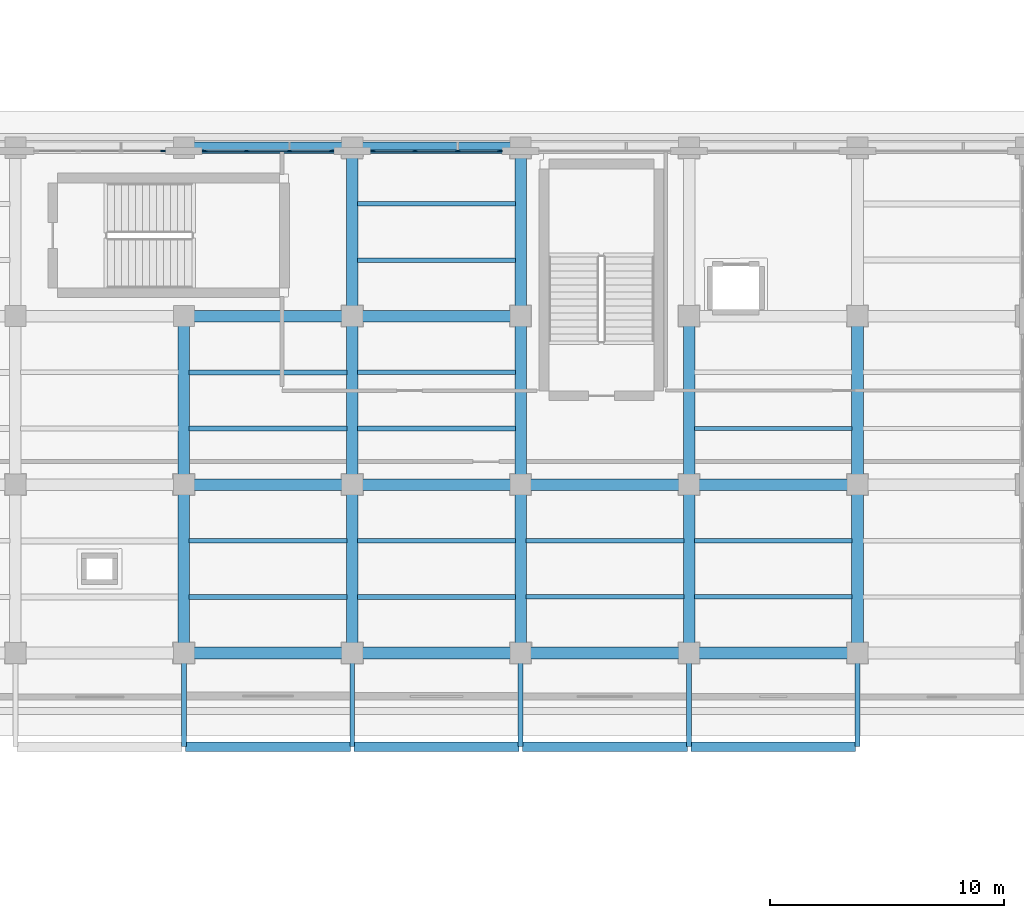
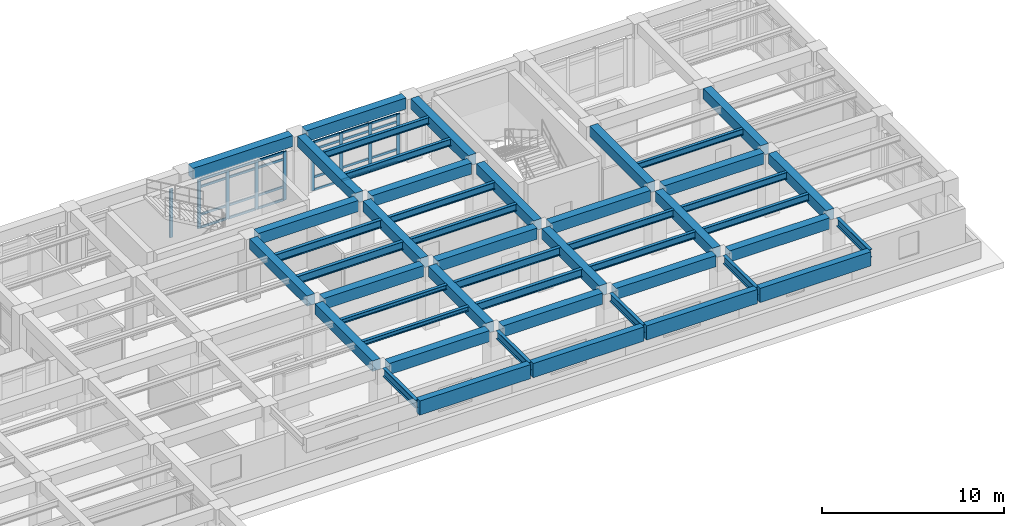
# One storey, part 28 of 69: 48 beams, 33 members, 3 elements without a shape of their own.
"""IFC4 building model written with IfcOpenShell, lengths in metres."""

from ifc_helpers import new_model, si_unit, direction, frame, origin, origin_2d, place, context, subcontext, project, spatial, rectangle, i_section, extrude, material, layer, layer_set, material_profile, profile_set, type_object, element, aggregate, save


model = new_model("IFC4")

# Units and contexts
model_context = context("Model", 3, precision=1e-05, world=origin(), true_north=direction((0.0, 1.0)))
body_context = subcontext(model_context, "Body", "Model", "MODEL_VIEW")
ifc_project = project(units=[si_unit("LENGTHUNIT", "METRE"), si_unit("AREAUNIT", "SQUARE_METRE"), si_unit("VOLUMEUNIT", "CUBIC_METRE"), si_unit("PLANEANGLEUNIT", "RADIAN"), si_unit("MASSUNIT", "GRAM", prefix="KILO")], contexts=[model_context])

# Site, building, storey
site_placement = place(None, origin())
site = spatial("IfcSite", under=ifc_project, at=site_placement, CompositionType="ELEMENT")
building_placement = place(site_placement, origin())
building = spatial("IfcBuilding", under=site, at=building_placement, Name="Solenvale Faculty of Natural Sciences", CompositionType="ELEMENT")
storey_placement = place(building_placement, frame((0.0, 0.0, 4.5)))
storey = spatial("IfcBuildingStorey", under=building, at=storey_placement, Name="L01", CompositionType="ELEMENT", Elevation=4.5)

# Beams
ifc_material_1 = material(Name="Concrete 40 MPa", Category="concrete")
ifc_material_profile_1 = material_profile(ifc_material_1, rectangle(XDim=0.5, YDim=0.699951171875, at=origin_2d()), Name="RC-BM-500x700")
ifc_profile_set_1 = profile_set([ifc_material_profile_1], Name="Concrete 40 MPa")
beam_type_1 = type_object("IfcBeamType", Name="BM-RC-500x700", PredefinedType="BEAM", material=ifc_profile_set_1)
for number, where, z_axis, x_axis, name in (
    (1, (129.60009765625, 36.429931640625, 3.8701171875), (0.0, 1.0, 0.0), (-1.0, 0.0, 0.0), "L01 Y-Girder X129.6 (36.0..43.2)"),
    (2, (129.60009765625, 43.6298828125, 3.8701171875), (0.0, 1.0, 0.0), (-1.0, 0.0, 0.0), "L01 Y-Girder X129.6 (43.2..50.4)"),
    (3, (136.800048828125, 36.429931640625, 3.8701171875), (0.0, 1.0, 0.0), (-1.0, 0.0, 0.0), "L01 Y-Girder X136.8 (36.0..43.2)"),
    (4, (136.800048828125, 43.6298828125, 3.8701171875), (0.0, 1.0, 0.0), (-1.0, 0.0, 0.0), "L01 Y-Girder X136.8 (43.2..50.4)"),
):
    element("IfcBeam", number, at=place(storey_placement, frame(where, z_axis=z_axis, x_axis=x_axis)), inside=storey, type_object=beam_type_1, Name=name, PredefinedType="BEAM", context=body_context, shape_type="SweptSolid", body=[
        extrude(rectangle(XDim=0.5, YDim=0.699951171875, at=origin_2d()), origin(), (0.0, 0.0, 1.0), 6.340087890625),
    ])
beam_1_placement = place(storey_placement, frame((136.800048828125, 50.830078125, 3.8701171875), z_axis=(0.0, 1.0, 0.0), x_axis=(-1.0, 0.0, 0.0)))
element("IfcBeam", 5, at=beam_1_placement, inside=storey, type_object=beam_type_1, Name="L01 Y-Girder X136.8 (50.4..57.6)", PredefinedType="BEAM", context=body_context, shape_type="SweptSolid", body=[
    extrude(rectangle(XDim=0.5, YDim=0.699951171875, at=origin_2d()), origin(), (0.0, 0.0, 1.0), 6.33984375),
])
for number, where, z_axis, x_axis, name in (
    (6, (144.0, 36.429931640625, 3.8701171875), (0.0, 1.0, 0.0), (-1.0, 0.0, 0.0), "L01 Y-Girder X144.0 (36.0..43.2)"),
    (7, (144.0, 43.6298828125, 3.8701171875), (0.0, 1.0, 0.0), (-1.0, 0.0, 0.0), "L01 Y-Girder X144.0 (43.2..50.4)"),
):
    element("IfcBeam", number, at=place(storey_placement, frame(where, z_axis=z_axis, x_axis=x_axis)), inside=storey, type_object=beam_type_1, Name=name, PredefinedType="BEAM", context=body_context, shape_type="SweptSolid", body=[
        extrude(rectangle(XDim=0.5, YDim=0.699951171875, at=origin_2d()), origin(), (0.0, 0.0, 1.0), 6.340087890625),
    ])
beam_2_placement = place(storey_placement, frame((144.0, 50.830078125, 3.8701171875), z_axis=(0.0, 1.0, 0.0), x_axis=(-1.0, 0.0, 0.0)))
element("IfcBeam", 8, at=beam_2_placement, inside=storey, type_object=beam_type_1, Name="L01 Y-Girder X144.0 (50.4..57.6)", PredefinedType="BEAM", context=body_context, shape_type="SweptSolid", body=[
    extrude(rectangle(XDim=0.5, YDim=0.699951171875, at=origin_2d()), origin(), (0.0, 0.0, 1.0), 6.33984375),
])
for number, where, z_axis, x_axis, name in (
    (9, (151.199951171875, 36.429931640625, 3.8701171875), (0.0, 1.0, 0.0), (-1.0, 0.0, 0.0), "L01 Y-Girder X151.2 (36.0..43.2)"),
    (10, (151.199951171875, 43.6298828125, 3.8701171875), (0.0, 1.0, 0.0), (-1.0, 0.0, 0.0), "L01 Y-Girder X151.2 (43.2..50.4)"),
    (11, (158.39990234375, 36.429931640625, 3.8701171875), (0.0, 1.0, 0.0), (-1.0, 0.0, 0.0), "L01 Y-Girder X158.4 (36.0..43.2)"),
    (12, (158.39990234375, 43.6298828125, 3.8701171875), (0.0, 1.0, 0.0), (-1.0, 0.0, 0.0), "L01 Y-Girder X158.4 (43.2..50.4)"),
):
    element("IfcBeam", number, at=place(storey_placement, frame(where, z_axis=z_axis, x_axis=x_axis)), inside=storey, type_object=beam_type_1, Name=name, PredefinedType="BEAM", context=body_context, shape_type="SweptSolid", body=[
        extrude(rectangle(XDim=0.5, YDim=0.699951171875, at=origin_2d()), origin(), (0.0, 0.0, 1.0), 6.340087890625),
    ])
ifc_material_profile_2 = material_profile(ifc_material_1, rectangle(XDim=0.5, YDim=0.75, at=origin_2d()), Name="RC-BM-500x750")
ifc_profile_set_2 = profile_set([ifc_material_profile_2], Name="Concrete 40 MPa")
beam_type_2 = type_object("IfcBeamType", Name="BM-RC-500x750", PredefinedType="BEAM", material=ifc_profile_set_2)
for number, where, z_axis, x_axis, name in (
    (13, (130.030029296875, 36.0, 3.844970703125), (1.0, 0.0, 0.0), (0.0, 1.0, 0.0), "L01 X-Girder Y36.0 (129.6..136.8)"),
    (14, (137.22998046875, 36.0, 3.844970703125), (1.0, 0.0, 0.0), (0.0, 1.0, 0.0), "L01 X-Girder Y36.0 (136.8..144.0)"),
    (15, (144.429931640625, 36.0, 3.844970703125), (1.0, 0.0, 0.0), (0.0, 1.0, 0.0), "L01 X-Girder Y36.0 (144.0..151.2)"),
    (16, (151.6298828125, 36.0, 3.844970703125), (1.0, 0.0, 0.0), (0.0, 1.0, 0.0), "L01 X-Girder Y36.0 (151.2..158.4)"),
    (17, (130.030029296875, 43.199951171875, 3.844970703125), (1.0, 0.0, 0.0), (0.0, 1.0, 0.0), "L01 X-Girder Y43.2 (129.6..136.8)"),
    (18, (137.22998046875, 43.199951171875, 3.844970703125), (1.0, 0.0, 0.0), (0.0, 1.0, 0.0), "L01 X-Girder Y43.2 (136.8..144.0)"),
    (19, (144.429931640625, 43.199951171875, 3.844970703125), (1.0, 0.0, 0.0), (0.0, 1.0, 0.0), "L01 X-Girder Y43.2 (144.0..151.2)"),
    (20, (151.6298828125, 43.199951171875, 3.844970703125), (1.0, 0.0, 0.0), (0.0, 1.0, 0.0), "L01 X-Girder Y43.2 (151.2..158.4)"),
    (21, (130.030029296875, 50.39990234375, 3.844970703125), (1.0, 0.0, 0.0), (0.0, 1.0, 0.0), "L01 X-Girder Y50.4 (129.6..136.8)"),
    (22, (137.22998046875, 50.39990234375, 3.844970703125), (1.0, 0.0, 0.0), (0.0, 1.0, 0.0), "L01 X-Girder Y50.4 (136.8..144.0)"),
    (23, (130.030029296875, 57.60009765625, 3.844970703125), (1.0, 0.0, 0.0), (0.0, 1.0, 0.0), "L01 X-Girder Y57.6 (129.6..136.8)"),
    (24, (137.22998046875, 57.60009765625, 3.844970703125), (1.0, 0.0, 0.0), (0.0, 1.0, 0.0), "L01 X-Girder Y57.6 (136.8..144.0)"),
):
    element("IfcBeam", number, at=place(storey_placement, frame(where, z_axis=z_axis, x_axis=x_axis)), inside=storey, type_object=beam_type_2, Name=name, PredefinedType="BEAM", context=body_context, shape_type="SweptSolid", body=[
        extrude(rectangle(XDim=0.5, YDim=0.75, at=origin_2d()), origin(), (0.0, 0.0, 1.0), 6.340087890625),
    ])
ifc_material_2 = material(Name="Architectural bronze concrete 40 MPa", Category="concrete")
ifc_material_profile_3 = material_profile(ifc_material_2, rectangle(XDim=0.39990234375, YDim=0.949951171875, at=origin_2d()), Name="RC-SPN-400x950")
ifc_profile_set_3 = profile_set([ifc_material_profile_3], Name="Architectural bronze concrete 40 MPa")
beam_type_3 = type_object("IfcBeamType", Name="BM-SPN-BRZ-950", PredefinedType="SPANDREL", material=ifc_profile_set_3)
for number, where, z_axis, x_axis, name in (
    (25, (129.679931640625, 32.0, 3.7451171875), (1.0, 0.0, 0.0), (0.0, 1.0, 0.0), "L02 Commons Sliding-Tray South Bronze Fascia 2"),
    (26, (136.8798828125, 32.0, 3.7451171875), (1.0, 0.0, 0.0), (0.0, 1.0, 0.0), "L02 Commons Sliding-Tray South Bronze Fascia 3"),
    (27, (144.080078125, 32.0, 3.7451171875), (1.0, 0.0, 0.0), (0.0, 1.0, 0.0), "L02 Commons Sliding-Tray South Bronze Fascia 4"),
    (28, (151.280029296875, 32.0, 3.7451171875), (1.0, 0.0, 0.0), (0.0, 1.0, 0.0), "L02 Commons Sliding-Tray South Bronze Fascia 5"),
):
    element("IfcBeam", number, at=place(storey_placement, frame(where, z_axis=z_axis, x_axis=x_axis)), inside=storey, type_object=beam_type_3, Name=name, PredefinedType="SPANDREL", context=body_context, shape_type="SweptSolid", body=[
        extrude(rectangle(XDim=0.39990234375, YDim=0.949951171875, at=origin_2d()), origin(), (0.0, 0.0, 1.0), 7.0400390625),
    ])
ifc_material_3 = material(Name="Steel S355", Category="steel")
ifc_material_profile_4 = material_profile(ifc_material_3, i_section(OverallWidth=0.202880859375, OverallDepth=0.302978515625, WebThickness=0.007568359375, FlangeThickness=0.01318359375, FilletRadius=0.014892578125, at=origin_2d()), Name="W310x60")
ifc_profile_set_4 = profile_set([ifc_material_profile_4], Name="Steel S355")
beam_type_4 = type_object("IfcBeamType", Name="BM-STL-W310x60", PredefinedType="JOIST", material=ifc_profile_set_4)
for number, where, z_axis, x_axis, name in (
    (29, (129.830078125, 38.39990234375, 4.068603515625), (1.0, 0.0, 0.0), (0.0, 1.0, 0.0), "L01 Composite Floor Joist (19,6).1"),
    (30, (129.830078125, 40.800048828125, 4.068603515625), (1.0, 0.0, 0.0), (0.0, 1.0, 0.0), "L01 Composite Floor Joist (19,6).2"),
):
    element("IfcBeam", number, at=place(storey_placement, frame(where, z_axis=z_axis, x_axis=x_axis)), inside=storey, type_object=beam_type_4, Name=name, PredefinedType="JOIST", context=body_context, shape_type="SweptSolid", body=[
        extrude(i_section(OverallWidth=0.202880859375, OverallDepth=0.302978515625, WebThickness=0.007568359375, FlangeThickness=0.01318359375, FilletRadius=0.014892578125, at=origin_2d()), origin(), (0.0, 0.0, 1.0), 6.739990234375),
    ])
ifc_material_profile_5 = material_profile(ifc_material_3, i_section(OverallWidth=0.180908203125, OverallDepth=0.4169921875, WebThickness=0.010986328125, FlangeThickness=0.018310546875, FilletRadius=0.01611328125, at=origin_2d()), Name="W410x85")
ifc_profile_set_5 = profile_set([ifc_material_profile_5], Name="Steel S355")
beam_type_5 = type_object("IfcBeamType", Name="BM-STL-W410x85", PredefinedType="JOIST", material=ifc_profile_set_5)
beam_3_placement = place(storey_placement, frame((151.429931640625, 45.60009765625, 4.011474609375), z_axis=(1.0, 0.0, 0.0), x_axis=(0.0, 1.0, 0.0)))
element("IfcBeam", 31, at=beam_3_placement, inside=storey, type_object=beam_type_5, Name="L01 Composite Floor Joist (22,7).1", PredefinedType="JOIST", context=body_context, shape_type="SweptSolid", body=[
    extrude(i_section(OverallWidth=0.180908203125, OverallDepth=0.4169921875, WebThickness=0.010986328125, FlangeThickness=0.018310546875, FilletRadius=0.01611328125, at=origin_2d()), origin(), (0.0, 0.0, 1.0), 6.739990234375),
])
ifc_material_profile_6 = material_profile(ifc_material_3, i_section(OverallWidth=0.194091796875, OverallDepth=0.468994140625, WebThickness=0.0126953125, FlangeThickness=0.0205078125, FilletRadius=0.01806640625, at=origin_2d()), Name="W460x106")
ifc_profile_set_6 = profile_set([ifc_material_profile_6], Name="Steel S355")
beam_type_6 = type_object("IfcBeamType", Name="BM-STL-W460x106", PredefinedType="JOIST", material=ifc_profile_set_6)
for number, where, z_axis, x_axis, name in (
    (32, (137.030029296875, 45.60009765625, 3.985595703125), (1.0, 0.0, 0.0), (0.0, 1.0, 0.0), "L01 Composite Floor Joist (20,7).1"),
    (33, (137.030029296875, 48.0, 3.985595703125), (1.0, 0.0, 0.0), (0.0, 1.0, 0.0), "L01 Composite Floor Joist (20,7).2"),
    (34, (144.22998046875, 38.39990234375, 3.985595703125), (1.0, 0.0, 0.0), (0.0, 1.0, 0.0), "L01 Composite Floor Joist (21,6).1"),
    (35, (144.22998046875, 40.800048828125, 3.985595703125), (1.0, 0.0, 0.0), (0.0, 1.0, 0.0), "L01 Composite Floor Joist (21,6).2"),
):
    element("IfcBeam", number, at=place(storey_placement, frame(where, z_axis=z_axis, x_axis=x_axis)), inside=storey, type_object=beam_type_6, Name=name, PredefinedType="JOIST", context=body_context, shape_type="SweptSolid", body=[
        extrude(i_section(OverallWidth=0.194091796875, OverallDepth=0.468994140625, WebThickness=0.0126953125, FlangeThickness=0.0205078125, FilletRadius=0.01806640625, at=origin_2d()), origin(), (0.0, 0.0, 1.0), 6.739990234375),
    ])
ifc_material_profile_7 = material_profile(ifc_material_3, i_section(OverallWidth=0.19091796875, OverallDepth=0.4599609375, WebThickness=0.010009765625, FlangeThickness=0.01611328125, FilletRadius=0.01806640625, at=origin_2d()), Name="W460x82")
ifc_profile_set_7 = profile_set([ifc_material_profile_7], Name="Steel S355")
beam_type_7 = type_object("IfcBeamType", Name="BM-STL-W460x82", PredefinedType="JOIST", material=ifc_profile_set_7)
for number, where, z_axis, x_axis, name in (
    (36, (137.030029296875, 52.800048828125, 3.989990234375), (1.0, 0.0, 0.0), (0.0, 1.0, 0.0), "L01 Composite Floor Joist (20,8).1"),
    (37, (137.030029296875, 55.199951171875, 3.989990234375), (1.0, 0.0, 0.0), (0.0, 1.0, 0.0), "L01 Composite Floor Joist (20,8).2"),
    (38, (151.429931640625, 38.39990234375, 3.989990234375), (1.0, 0.0, 0.0), (0.0, 1.0, 0.0), "L01 Composite Floor Joist (22,6).1"),
    (39, (151.429931640625, 40.800048828125, 3.989990234375), (1.0, 0.0, 0.0), (0.0, 1.0, 0.0), "L01 Composite Floor Joist (22,6).2"),
):
    element("IfcBeam", number, at=place(storey_placement, frame(where, z_axis=z_axis, x_axis=x_axis)), inside=storey, type_object=beam_type_7, Name=name, PredefinedType="JOIST", context=body_context, shape_type="SweptSolid", body=[
        extrude(i_section(OverallWidth=0.19091796875, OverallDepth=0.4599609375, WebThickness=0.010009765625, FlangeThickness=0.01611328125, FilletRadius=0.01806640625, at=origin_2d()), origin(), (0.0, 0.0, 1.0), 6.739990234375),
    ])
ifc_material_profile_8 = material_profile(ifc_material_3, i_section(OverallWidth=0.2119140625, OverallDepth=0.5439453125, WebThickness=0.01318359375, FlangeThickness=0.021240234375, FilletRadius=0.01904296875, at=origin_2d()), Name="W530x123")
ifc_profile_set_8 = profile_set([ifc_material_profile_8], Name="Steel S355")
beam_type_8 = type_object("IfcBeamType", Name="BM-STL-W530x123", PredefinedType="BEAM", material=ifc_profile_set_8)
for number, where, z_axis, x_axis, name in (
    (40, (129.60009765625, 35.570068359375, 3.947998046875), (0.0, -1.0, 0.0), (1.0, 0.0, 0.0), "L01 V2 Cantilever Tray Girder X129.6"),
    (41, (136.800048828125, 35.570068359375, 3.947998046875), (0.0, -1.0, 0.0), (1.0, 0.0, 0.0), "L01 V2 Cantilever Tray Girder X136.8"),
    (42, (144.0, 35.570068359375, 3.947998046875), (0.0, -1.0, 0.0), (1.0, 0.0, 0.0), "L01 V2 Cantilever Tray Girder X144.0"),
    (43, (151.199951171875, 35.570068359375, 3.947998046875), (0.0, -1.0, 0.0), (1.0, 0.0, 0.0), "L01 V2 Cantilever Tray Girder X151.2"),
    (44, (158.39990234375, 35.570068359375, 3.947998046875), (0.0, -1.0, 0.0), (1.0, 0.0, 0.0), "L01 V2 Cantilever Tray Girder X158.4"),
):
    element("IfcBeam", number, at=place(storey_placement, frame(where, z_axis=z_axis, x_axis=x_axis)), inside=storey, type_object=beam_type_8, Name=name, PredefinedType="BEAM", context=body_context, shape_type="SweptSolid", body=[
        extrude(i_section(OverallWidth=0.2119140625, OverallDepth=0.5439453125, WebThickness=0.01318359375, FlangeThickness=0.021240234375, FilletRadius=0.01904296875, at=origin_2d()), origin(), (0.0, 0.0, 1.0), 3.570068359375),
    ])
ifc_material_profile_9 = material_profile(ifc_material_3, i_section(OverallWidth=0.208984375, OverallDepth=0.532958984375, WebThickness=0.01025390625, FlangeThickness=0.015625, FilletRadius=0.01904296875, at=origin_2d()), Name="W530x92")
ifc_profile_set_9 = profile_set([ifc_material_profile_9], Name="Steel S355")
beam_type_9 = type_object("IfcBeamType", Name="BM-STL-W530x92", PredefinedType="JOIST", material=ifc_profile_set_9)
for number, where, z_axis, x_axis, name in (
    (45, (129.830078125, 45.60009765625, 3.95361328125), (1.0, 0.0, 0.0), (0.0, 1.0, 0.0), "L01 Composite Floor Joist (19,7).1"),
    (46, (129.830078125, 48.0, 3.95361328125), (1.0, 0.0, 0.0), (0.0, 1.0, 0.0), "L01 Composite Floor Joist (19,7).2"),
    (47, (137.030029296875, 38.39990234375, 3.95361328125), (1.0, 0.0, 0.0), (0.0, 1.0, 0.0), "L01 Composite Floor Joist (20,6).1"),
    (48, (137.030029296875, 40.800048828125, 3.95361328125), (1.0, 0.0, 0.0), (0.0, 1.0, 0.0), "L01 Composite Floor Joist (20,6).2"),
):
    element("IfcBeam", number, at=place(storey_placement, frame(where, z_axis=z_axis, x_axis=x_axis)), inside=storey, type_object=beam_type_9, Name=name, PredefinedType="JOIST", context=body_context, shape_type="SweptSolid", body=[
        extrude(i_section(OverallWidth=0.208984375, OverallDepth=0.532958984375, WebThickness=0.01025390625, FlangeThickness=0.015625, FilletRadius=0.01904296875, at=origin_2d()), origin(), (0.0, 0.0, 1.0), 6.739990234375),
    ])

# Curtain wall, members
ifc_material_4 = material(Name="Anodised bronze aluminium", Category="aluminium")
ifc_layer = layer(ifc_material_4, 0.199951171875)
ifc_layer_set = layer_set([ifc_layer], Name="Anodised bronze aluminium")
curtain_wall_type = type_object("IfcCurtainWallType", Name="CW-COM-FIN", PredefinedType="USERDEFINED", material=ifc_layer_set)
curtain_wall_1_placement = place(storey_placement, origin())
curtain_wall_1 = element("IfcCurtainWall", 49, at=curtain_wall_1_placement, inside=storey, type_object=curtain_wall_type, Name="L01 Curtain Wall CW-L01-P1-E9-B4", ObjectType="UNITISED CURTAIN WALL", PredefinedType="USERDEFINED")
ifc_material_profile_10 = material_profile(ifc_material_4, rectangle(XDim=0.074951171875, YDim=0.2099609375, at=origin_2d()), Name="ALU-MUL-75x210")
ifc_profile_set_10 = profile_set([ifc_material_profile_10], Name="Anodised bronze aluminium")
member_type_1 = type_object("IfcMemberType", Name="CWM-ALU-75x210", PredefinedType="MULLION", material=ifc_profile_set_10)
member_1_placement = place(storey_placement, frame((143.112548828125, 57.45751953125, 0.0), z_axis=(0.0, 0.0, 1.0), x_axis=(0.0, -1.0, 0.0)))
member_1 = element("IfcMember", 50, at=member_1_placement, type_object=member_type_1, Name="CW-03 mullion 1", PredefinedType="MULLION", context=body_context, shape_type="SweptSolid", body=[
    extrude(rectangle(XDim=0.074951171875, YDim=0.2099609375, at=origin_2d()), origin(), (0.0, 0.0, 1.0), 3.260009765625),
])
member_2_placement = place(storey_placement, frame((141.316650390625, 57.45751953125, 0.0), z_axis=(0.0, 0.0, 1.0), x_axis=(0.0, -1.0, 0.0)))
member_2 = element("IfcMember", 51, at=member_2_placement, type_object=member_type_1, Name="CW-03 mullion 2", PredefinedType="MULLION", context=body_context, shape_type="SweptSolid", body=[
    extrude(rectangle(XDim=0.074951171875, YDim=0.2099609375, at=origin_2d()), origin(), (0.0, 0.0, 1.0), 3.260009765625),
])
member_3_placement = place(storey_placement, frame((139.4833984375, 57.45751953125, 0.0), z_axis=(0.0, 0.0, 1.0), x_axis=(0.0, -1.0, 0.0)))
member_3 = element("IfcMember", 52, at=member_3_placement, type_object=member_type_1, Name="CW-03 mullion 3", PredefinedType="MULLION", context=body_context, shape_type="SweptSolid", body=[
    extrude(rectangle(XDim=0.074951171875, YDim=0.2099609375, at=origin_2d()), origin(), (0.0, 0.0, 1.0), 3.260009765625),
])
member_4_placement = place(storey_placement, frame((137.6875, 57.45751953125, 0.0), z_axis=(0.0, 0.0, 1.0), x_axis=(0.0, -1.0, 0.0)))
member_4 = element("IfcMember", 53, at=member_4_placement, type_object=member_type_1, Name="CW-03 mullion 4", PredefinedType="MULLION", context=body_context, shape_type="SweptSolid", body=[
    extrude(rectangle(XDim=0.074951171875, YDim=0.2099609375, at=origin_2d()), origin(), (0.0, 0.0, 1.0), 3.260009765625),
])

curtain_wall_2_placement = place(storey_placement, origin())
curtain_wall_2 = element("IfcCurtainWall", 54, at=curtain_wall_2_placement, inside=storey, type_object=curtain_wall_type, Name="L01 Curtain Wall CW-L01-P1-E9-B5", ObjectType="UNITISED CURTAIN WALL", PredefinedType="USERDEFINED")
member_5_placement = place(storey_placement, frame((135.91259765625, 57.45751953125, 0.0), z_axis=(0.0, 0.0, 1.0), x_axis=(0.0, -1.0, 0.0)))
member_5 = element("IfcMember", 55, at=member_5_placement, type_object=member_type_1, Name="CW-03 mullion 1", PredefinedType="MULLION", context=body_context, shape_type="SweptSolid", body=[
    extrude(rectangle(XDim=0.074951171875, YDim=0.2099609375, at=origin_2d()), origin(), (0.0, 0.0, 1.0), 3.260009765625),
])
member_6_placement = place(storey_placement, frame((134.11669921875, 57.45751953125, 0.0), z_axis=(0.0, 0.0, 1.0), x_axis=(0.0, -1.0, 0.0)))
member_6 = element("IfcMember", 56, at=member_6_placement, type_object=member_type_1, Name="CW-03 mullion 2", PredefinedType="MULLION", context=body_context, shape_type="SweptSolid", body=[
    extrude(rectangle(XDim=0.074951171875, YDim=0.2099609375, at=origin_2d()), origin(), (0.0, 0.0, 1.0), 3.260009765625),
])
member_7_placement = place(storey_placement, frame((132.283447265625, 57.45751953125, 0.0), z_axis=(0.0, 0.0, 1.0), x_axis=(0.0, -1.0, 0.0)))
member_7 = element("IfcMember", 57, at=member_7_placement, type_object=member_type_1, Name="CW-03 mullion 3", PredefinedType="MULLION", context=body_context, shape_type="SweptSolid", body=[
    extrude(rectangle(XDim=0.074951171875, YDim=0.2099609375, at=origin_2d()), origin(), (0.0, 0.0, 1.0), 3.260009765625),
])
member_8_placement = place(storey_placement, frame((130.487548828125, 57.45751953125, 0.0), z_axis=(0.0, 0.0, 1.0), x_axis=(0.0, -1.0, 0.0)))
member_8 = element("IfcMember", 58, at=member_8_placement, type_object=member_type_1, Name="CW-03 mullion 4", PredefinedType="MULLION", context=body_context, shape_type="SweptSolid", body=[
    extrude(rectangle(XDim=0.074951171875, YDim=0.2099609375, at=origin_2d()), origin(), (0.0, 0.0, 1.0), 3.260009765625),
])

# Curtain wall, member
curtain_wall_3_placement = place(storey_placement, origin())
curtain_wall_3 = element("IfcCurtainWall", 59, at=curtain_wall_3_placement, inside=storey, type_object=curtain_wall_type, Name="L01 Curtain Wall CW-L01-P1-E9-B6", ObjectType="UNITISED CURTAIN WALL", PredefinedType="USERDEFINED")
member_9_placement = place(storey_placement, frame((128.71240234375, 57.45751953125, 0.0), z_axis=(0.0, 0.0, 1.0), x_axis=(0.0, -1.0, 0.0)))
member_9 = element("IfcMember", 60, at=member_9_placement, type_object=member_type_1, Name="CW-03 mullion 1", PredefinedType="MULLION", context=body_context, shape_type="SweptSolid", body=[
    extrude(rectangle(XDim=0.074951171875, YDim=0.2099609375, at=origin_2d()), origin(), (0.0, 0.0, 1.0), 3.260009765625),
])
aggregate(curtain_wall_3, [member_9])

# Member
ifc_material_profile_11 = material_profile(ifc_material_4, rectangle(XDim=0.074951171875, YDim=0.155029296875, at=origin_2d()), Name="ALU-TRN-75x155")
ifc_profile_set_11 = profile_set([ifc_material_profile_11], Name="Anodised bronze aluminium")
member_type_2 = type_object("IfcMemberType", Name="CWT-ALU-75x155", PredefinedType="USERDEFINED", material=ifc_profile_set_11)
member_10_placement = place(storey_placement, frame((143.074951171875, 57.45751953125, 0.03759765625), z_axis=(-1.0, 0.0, 0.0), x_axis=(0.0, -1.0, 0.0)))
member_10 = element("IfcMember", 61, at=member_10_placement, type_object=member_type_2, Name="CW-03 transom 1.1", ObjectType="TRANSOM", PredefinedType="USERDEFINED", context=body_context, shape_type="SweptSolid", body=[
    extrude(rectangle(XDim=0.074951171875, YDim=0.155029296875, at=origin_2d()), origin(), (0.0, 0.0, 1.0), 1.720703125),
])

member_11_placement = place(storey_placement, frame((143.074951171875, 57.45751953125, 0.89990234375), z_axis=(-1.0, 0.0, 0.0), x_axis=(0.0, -1.0, 0.0)))
member_11 = element("IfcMember", 62, at=member_11_placement, type_object=member_type_2, Name="CW-03 transom 1.2", ObjectType="TRANSOM", PredefinedType="USERDEFINED", context=body_context, shape_type="SweptSolid", body=[
    extrude(rectangle(XDim=0.074951171875, YDim=0.155029296875, at=origin_2d()), origin(), (0.0, 0.0, 1.0), 1.720703125),
])

member_12_placement = place(storey_placement, frame((143.074951171875, 57.45751953125, 2.760009765625), z_axis=(-1.0, 0.0, 0.0), x_axis=(0.0, -1.0, 0.0)))
member_12 = element("IfcMember", 63, at=member_12_placement, type_object=member_type_2, Name="CW-03 transom 1.3", ObjectType="TRANSOM", PredefinedType="USERDEFINED", context=body_context, shape_type="SweptSolid", body=[
    extrude(rectangle(XDim=0.074951171875, YDim=0.155029296875, at=origin_2d()), origin(), (0.0, 0.0, 1.0), 1.720703125),
])

member_13_placement = place(storey_placement, frame((143.074951171875, 57.45751953125, 3.222412109375), z_axis=(-1.0, 0.0, 0.0), x_axis=(0.0, -1.0, 0.0)))
member_13 = element("IfcMember", 64, at=member_13_placement, type_object=member_type_2, Name="CW-03 transom 1.4", ObjectType="TRANSOM", PredefinedType="USERDEFINED", context=body_context, shape_type="SweptSolid", body=[
    extrude(rectangle(XDim=0.074951171875, YDim=0.155029296875, at=origin_2d()), origin(), (0.0, 0.0, 1.0), 1.720703125),
])

member_14_placement = place(storey_placement, frame((141.279052734375, 57.45751953125, 0.03759765625), z_axis=(-1.0, 0.0, 0.0), x_axis=(0.0, -1.0, 0.0)))
member_14 = element("IfcMember", 65, at=member_14_placement, type_object=member_type_2, Name="CW-03 transom 2.1", ObjectType="TRANSOM", PredefinedType="USERDEFINED", context=body_context, shape_type="SweptSolid", body=[
    extrude(rectangle(XDim=0.074951171875, YDim=0.155029296875, at=origin_2d()), origin(), (0.0, 0.0, 1.0), 1.75830078125),
])

member_15_placement = place(storey_placement, frame((141.279052734375, 57.45751953125, 0.89990234375), z_axis=(-1.0, 0.0, 0.0), x_axis=(0.0, -1.0, 0.0)))
member_15 = element("IfcMember", 66, at=member_15_placement, type_object=member_type_2, Name="CW-03 transom 2.2", ObjectType="TRANSOM", PredefinedType="USERDEFINED", context=body_context, shape_type="SweptSolid", body=[
    extrude(rectangle(XDim=0.074951171875, YDim=0.155029296875, at=origin_2d()), origin(), (0.0, 0.0, 1.0), 1.75830078125),
])

member_16_placement = place(storey_placement, frame((141.279052734375, 57.45751953125, 2.760009765625), z_axis=(-1.0, 0.0, 0.0), x_axis=(0.0, -1.0, 0.0)))
member_16 = element("IfcMember", 67, at=member_16_placement, type_object=member_type_2, Name="CW-03 transom 2.3", ObjectType="TRANSOM", PredefinedType="USERDEFINED", context=body_context, shape_type="SweptSolid", body=[
    extrude(rectangle(XDim=0.074951171875, YDim=0.155029296875, at=origin_2d()), origin(), (0.0, 0.0, 1.0), 1.75830078125),
])

member_17_placement = place(storey_placement, frame((141.279052734375, 57.45751953125, 3.222412109375), z_axis=(-1.0, 0.0, 0.0), x_axis=(0.0, -1.0, 0.0)))
member_17 = element("IfcMember", 68, at=member_17_placement, type_object=member_type_2, Name="CW-03 transom 2.4", ObjectType="TRANSOM", PredefinedType="USERDEFINED", context=body_context, shape_type="SweptSolid", body=[
    extrude(rectangle(XDim=0.074951171875, YDim=0.155029296875, at=origin_2d()), origin(), (0.0, 0.0, 1.0), 1.75830078125),
])

member_18_placement = place(storey_placement, frame((139.44580078125, 57.45751953125, 0.03759765625), z_axis=(-1.0, 0.0, 0.0), x_axis=(0.0, -1.0, 0.0)))
member_18 = element("IfcMember", 69, at=member_18_placement, type_object=member_type_2, Name="CW-03 transom 3.1", ObjectType="TRANSOM", PredefinedType="USERDEFINED", context=body_context, shape_type="SweptSolid", body=[
    extrude(rectangle(XDim=0.074951171875, YDim=0.155029296875, at=origin_2d()), origin(), (0.0, 0.0, 1.0), 1.720703125),
])

member_19_placement = place(storey_placement, frame((139.44580078125, 57.45751953125, 0.89990234375), z_axis=(-1.0, 0.0, 0.0), x_axis=(0.0, -1.0, 0.0)))
member_19 = element("IfcMember", 70, at=member_19_placement, type_object=member_type_2, Name="CW-03 transom 3.2", ObjectType="TRANSOM", PredefinedType="USERDEFINED", context=body_context, shape_type="SweptSolid", body=[
    extrude(rectangle(XDim=0.074951171875, YDim=0.155029296875, at=origin_2d()), origin(), (0.0, 0.0, 1.0), 1.720703125),
])

member_20_placement = place(storey_placement, frame((139.44580078125, 57.45751953125, 2.760009765625), z_axis=(-1.0, 0.0, 0.0), x_axis=(0.0, -1.0, 0.0)))
member_20 = element("IfcMember", 71, at=member_20_placement, type_object=member_type_2, Name="CW-03 transom 3.3", ObjectType="TRANSOM", PredefinedType="USERDEFINED", context=body_context, shape_type="SweptSolid", body=[
    extrude(rectangle(XDim=0.074951171875, YDim=0.155029296875, at=origin_2d()), origin(), (0.0, 0.0, 1.0), 1.720703125),
])

member_21_placement = place(storey_placement, frame((139.44580078125, 57.45751953125, 3.222412109375), z_axis=(-1.0, 0.0, 0.0), x_axis=(0.0, -1.0, 0.0)))
member_21 = element("IfcMember", 72, at=member_21_placement, type_object=member_type_2, Name="CW-03 transom 3.4", ObjectType="TRANSOM", PredefinedType="USERDEFINED", context=body_context, shape_type="SweptSolid", body=[
    extrude(rectangle(XDim=0.074951171875, YDim=0.155029296875, at=origin_2d()), origin(), (0.0, 0.0, 1.0), 1.720703125),
])

aggregate(curtain_wall_1, [member_1, member_2, member_3, member_4, member_10, member_11, member_12, member_13, member_14, member_15, member_16, member_17, member_18, member_19, member_20, member_21])

member_22_placement = place(storey_placement, frame((135.875, 57.45751953125, 0.03759765625), z_axis=(-1.0, 0.0, 0.0), x_axis=(0.0, -1.0, 0.0)))
member_22 = element("IfcMember", 73, at=member_22_placement, type_object=member_type_2, Name="CW-03 transom 1.1", ObjectType="TRANSOM", PredefinedType="USERDEFINED", context=body_context, shape_type="SweptSolid", body=[
    extrude(rectangle(XDim=0.074951171875, YDim=0.155029296875, at=origin_2d()), origin(), (0.0, 0.0, 1.0), 1.720947265625),
])

member_23_placement = place(storey_placement, frame((135.875, 57.45751953125, 0.89990234375), z_axis=(-1.0, 0.0, 0.0), x_axis=(0.0, -1.0, 0.0)))
member_23 = element("IfcMember", 74, at=member_23_placement, type_object=member_type_2, Name="CW-03 transom 1.2", ObjectType="TRANSOM", PredefinedType="USERDEFINED", context=body_context, shape_type="SweptSolid", body=[
    extrude(rectangle(XDim=0.074951171875, YDim=0.155029296875, at=origin_2d()), origin(), (0.0, 0.0, 1.0), 1.720947265625),
])

member_24_placement = place(storey_placement, frame((135.875, 57.45751953125, 2.760009765625), z_axis=(-1.0, 0.0, 0.0), x_axis=(0.0, -1.0, 0.0)))
member_24 = element("IfcMember", 75, at=member_24_placement, type_object=member_type_2, Name="CW-03 transom 1.3", ObjectType="TRANSOM", PredefinedType="USERDEFINED", context=body_context, shape_type="SweptSolid", body=[
    extrude(rectangle(XDim=0.074951171875, YDim=0.155029296875, at=origin_2d()), origin(), (0.0, 0.0, 1.0), 1.720947265625),
])

member_25_placement = place(storey_placement, frame((135.875, 57.45751953125, 3.222412109375), z_axis=(-1.0, 0.0, 0.0), x_axis=(0.0, -1.0, 0.0)))
member_25 = element("IfcMember", 76, at=member_25_placement, type_object=member_type_2, Name="CW-03 transom 1.4", ObjectType="TRANSOM", PredefinedType="USERDEFINED", context=body_context, shape_type="SweptSolid", body=[
    extrude(rectangle(XDim=0.074951171875, YDim=0.155029296875, at=origin_2d()), origin(), (0.0, 0.0, 1.0), 1.720947265625),
])

member_26_placement = place(storey_placement, frame((134.0791015625, 57.45751953125, 0.03759765625), z_axis=(-1.0, 0.0, 0.0), x_axis=(0.0, -1.0, 0.0)))
member_26 = element("IfcMember", 77, at=member_26_placement, type_object=member_type_2, Name="CW-03 transom 2.1", ObjectType="TRANSOM", PredefinedType="USERDEFINED", context=body_context, shape_type="SweptSolid", body=[
    extrude(rectangle(XDim=0.074951171875, YDim=0.155029296875, at=origin_2d()), origin(), (0.0, 0.0, 1.0), 1.75830078125),
])

member_27_placement = place(storey_placement, frame((134.0791015625, 57.45751953125, 0.89990234375), z_axis=(-1.0, 0.0, 0.0), x_axis=(0.0, -1.0, 0.0)))
member_27 = element("IfcMember", 78, at=member_27_placement, type_object=member_type_2, Name="CW-03 transom 2.2", ObjectType="TRANSOM", PredefinedType="USERDEFINED", context=body_context, shape_type="SweptSolid", body=[
    extrude(rectangle(XDim=0.074951171875, YDim=0.155029296875, at=origin_2d()), origin(), (0.0, 0.0, 1.0), 1.75830078125),
])

member_28_placement = place(storey_placement, frame((134.0791015625, 57.45751953125, 2.760009765625), z_axis=(-1.0, 0.0, 0.0), x_axis=(0.0, -1.0, 0.0)))
member_28 = element("IfcMember", 79, at=member_28_placement, type_object=member_type_2, Name="CW-03 transom 2.3", ObjectType="TRANSOM", PredefinedType="USERDEFINED", context=body_context, shape_type="SweptSolid", body=[
    extrude(rectangle(XDim=0.074951171875, YDim=0.155029296875, at=origin_2d()), origin(), (0.0, 0.0, 1.0), 1.75830078125),
])

member_29_placement = place(storey_placement, frame((134.0791015625, 57.45751953125, 3.222412109375), z_axis=(-1.0, 0.0, 0.0), x_axis=(0.0, -1.0, 0.0)))
member_29 = element("IfcMember", 80, at=member_29_placement, type_object=member_type_2, Name="CW-03 transom 2.4", ObjectType="TRANSOM", PredefinedType="USERDEFINED", context=body_context, shape_type="SweptSolid", body=[
    extrude(rectangle(XDim=0.074951171875, YDim=0.155029296875, at=origin_2d()), origin(), (0.0, 0.0, 1.0), 1.75830078125),
])

member_30_placement = place(storey_placement, frame((132.245849609375, 57.45751953125, 0.03759765625), z_axis=(-1.0, 0.0, 0.0), x_axis=(0.0, -1.0, 0.0)))
member_30 = element("IfcMember", 81, at=member_30_placement, type_object=member_type_2, Name="CW-03 transom 3.1", ObjectType="TRANSOM", PredefinedType="USERDEFINED", context=body_context, shape_type="SweptSolid", body=[
    extrude(rectangle(XDim=0.074951171875, YDim=0.155029296875, at=origin_2d()), origin(), (0.0, 0.0, 1.0), 1.720947265625),
])

member_31_placement = place(storey_placement, frame((132.245849609375, 57.45751953125, 0.89990234375), z_axis=(-1.0, 0.0, 0.0), x_axis=(0.0, -1.0, 0.0)))
member_31 = element("IfcMember", 82, at=member_31_placement, type_object=member_type_2, Name="CW-03 transom 3.2", ObjectType="TRANSOM", PredefinedType="USERDEFINED", context=body_context, shape_type="SweptSolid", body=[
    extrude(rectangle(XDim=0.074951171875, YDim=0.155029296875, at=origin_2d()), origin(), (0.0, 0.0, 1.0), 1.720947265625),
])

member_32_placement = place(storey_placement, frame((132.245849609375, 57.45751953125, 2.760009765625), z_axis=(-1.0, 0.0, 0.0), x_axis=(0.0, -1.0, 0.0)))
member_32 = element("IfcMember", 83, at=member_32_placement, type_object=member_type_2, Name="CW-03 transom 3.3", ObjectType="TRANSOM", PredefinedType="USERDEFINED", context=body_context, shape_type="SweptSolid", body=[
    extrude(rectangle(XDim=0.074951171875, YDim=0.155029296875, at=origin_2d()), origin(), (0.0, 0.0, 1.0), 1.720947265625),
])

member_33_placement = place(storey_placement, frame((132.245849609375, 57.45751953125, 3.222412109375), z_axis=(-1.0, 0.0, 0.0), x_axis=(0.0, -1.0, 0.0)))
member_33 = element("IfcMember", 84, at=member_33_placement, type_object=member_type_2, Name="CW-03 transom 3.4", ObjectType="TRANSOM", PredefinedType="USERDEFINED", context=body_context, shape_type="SweptSolid", body=[
    extrude(rectangle(XDim=0.074951171875, YDim=0.155029296875, at=origin_2d()), origin(), (0.0, 0.0, 1.0), 1.720947265625),
])

aggregate(curtain_wall_2, [member_5, member_6, member_7, member_8, member_22, member_23, member_24, member_25, member_26, member_27, member_28, member_29, member_30, member_31, member_32, member_33])

save(model, "model.ifc")
